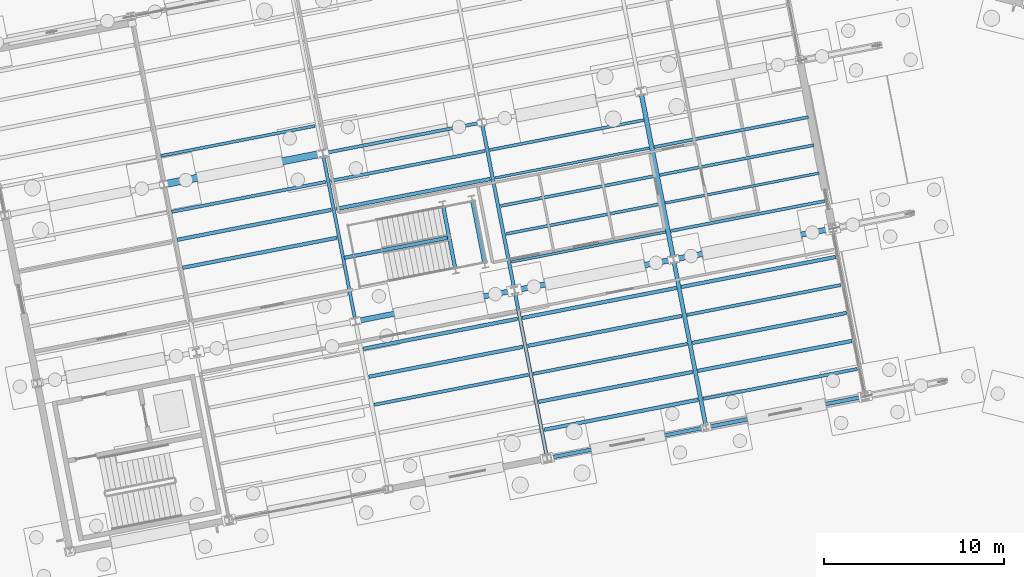
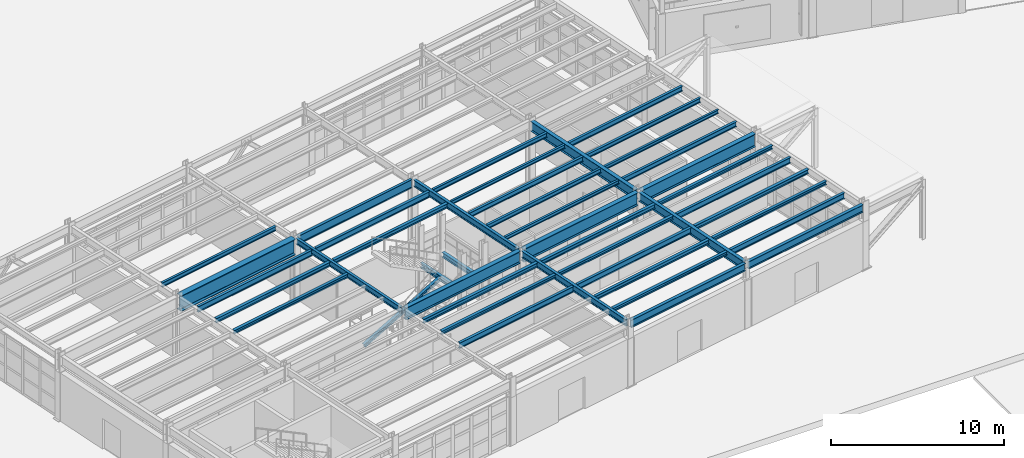
# One storey, part 34 of 108: 42 beams, 1 member.
"""IFC4 building model written with IfcOpenShell, lengths in metres."""

import ifcopenshell
import ifcopenshell.guid

model = None  # the IFC model being written
_history = None  # IfcOwnerHistory: only IFC2X3 demands one
_inside = {}  # id of a spatial element -> (the spatial element, [elements in it])
_under = {}  # id of a project, library or spatial element -> (it, [spatial elements below it])
_declared = {}  # id of a project -> (the project, [libraries it declares])
_typed = {}  # id of a type object -> (the type object, [elements of that type])
_made_of = {}  # id of a material, layer set ... -> (it, [elements and type objects made of it])


def new_model(schema):
    """Start an empty IFC model of exactly this schema.

    Asked for "IFC4X3", IfcOpenShell would pick the latest addendum, in which some entities
    have other attributes; the version numbers below select the first issue.
    IFC2X3 requires an IfcOwnerHistory on every rooted entity: one is made here for all.
    """
    global model, _history
    if schema == "IFC4X3":
        model = ifcopenshell.file(schema_version=(4, 3, 0, 0))
    else:
        model = ifcopenshell.file(schema=schema)
    _inside.clear()
    _under.clear()
    _declared.clear()
    _typed.clear()
    _made_of.clear()
    _history = None
    if model.schema == "IFC2X3":
        org = make("IfcOrganization", Name="unknown")
        user = make(
            "IfcPersonAndOrganization",
            ThePerson=make("IfcPerson", FamilyName="unknown"),
            TheOrganization=org,
        )
        app = make(
            "IfcApplication",
            ApplicationDeveloper=org,
            Version="unknown",
            ApplicationFullName="unknown",
            ApplicationIdentifier="unknown",
        )
        _history = make(
            "IfcOwnerHistory",
            OwningUser=user,
            OwningApplication=app,
            ChangeAction="ADDED",
            CreationDate=0,
        )
    return model


def make(cls, **values):
    """One entity of the class cls with the attributes given. An attribute that is None is left unset."""
    return model.create_entity(
        cls, **{name: value for name, value in values.items() if value is not None}
    )


def rooted(cls, **values):
    """An entity with a GlobalId (a new one), such as an element, a storey or a relation."""
    return make(cls, GlobalId=ifcopenshell.guid.new(), OwnerHistory=_history, **values)


def si_unit(unit_type, name, prefix=None):
    """IfcSIUnit, for example si_unit("LENGTHUNIT", "METRE", prefix="MILLI")."""
    return make("IfcSIUnit", UnitType=unit_type, Prefix=prefix, Name=name)


def assignment(units):
    """IfcUnitAssignment: the units of a project."""
    return None if units is None else make("IfcUnitAssignment", Units=units)


def point(xyz):
    """IfcCartesianPoint."""
    return None if xyz is None else make("IfcCartesianPoint", Coordinates=xyz)


def direction(xyz):
    """IfcDirection."""
    return None if xyz is None else make("IfcDirection", DirectionRatios=xyz)


def frame(location, z_axis=None, x_axis=None):
    """IfcAxis2Placement3D, a coordinate frame: its origin and axes. An axis left out is left unset."""
    return make(
        "IfcAxis2Placement3D",
        Location=point(location),
        Axis=direction(z_axis),
        RefDirection=direction(x_axis),
    )


def frame_2d(location, x_axis=None):
    """IfcAxis2Placement2D, a coordinate frame in the plane: its origin and x axis."""
    return make(
        "IfcAxis2Placement2D", Location=point(location), RefDirection=direction(x_axis)
    )


def origin():
    """The frame at (0, 0, 0) with its axes left unset."""
    return frame((0.0, 0.0, 0.0))


def origin_2d():
    """The frame at (0, 0) in the plane with its x axis left unset."""
    return frame_2d((0.0, 0.0))


def place(relative_to, where):
    """IfcLocalPlacement: puts the frame where relative to a parent placement (None: the world)."""
    return make(
        "IfcLocalPlacement", PlacementRelTo=relative_to, RelativePlacement=where
    )


def context(
    kind, dimensions, precision=None, world=None, true_north=None, identifier=None
):
    """IfcGeometricRepresentationContext, for example the 3D "Model" context."""
    return make(
        "IfcGeometricRepresentationContext",
        ContextIdentifier=identifier,
        ContextType=kind,
        CoordinateSpaceDimension=dimensions,
        Precision=precision,
        WorldCoordinateSystem=world,
        TrueNorth=true_north,
    )


def subcontext(parent, identifier, kind, view, scale=None):
    """IfcGeometricRepresentationSubContext, for example "Body" below "Model"."""
    return make(
        "IfcGeometricRepresentationSubContext",
        ContextIdentifier=identifier,
        ContextType=kind,
        ParentContext=parent,
        TargetScale=scale,
        TargetView=view,
    )


def project(units=None, contexts=None):
    """IfcProject with its units and contexts."""
    return rooted(
        "IfcProject",
        Name="project",
        RepresentationContexts=contexts,
        UnitsInContext=assignment(units),
    )


def spatial(cls, under=None, at=None, **own):
    """A site, building, storey or space (cls), placed at a placement, below another one or the project."""
    s = rooted(cls, ObjectPlacement=at, **own)
    if under is not None:
        _under.setdefault(under.id(), (under, []))[1].append(s)
    return s


def profile(cls, at=None, kind="AREA", **sizes):
    """A parametric profile (cls). Its sizes go by their IFC names, for example OverallWidth=200.0."""
    return make(cls, ProfileType=kind, Position=at, **sizes)


def i_section(**sizes):
    """IfcIShapeProfileDef."""
    return profile("IfcIShapeProfileDef", **sizes)


def extrude(swept, where, along, depth):
    """IfcExtrudedAreaSolid: the profile swept, set in the frame where, extruded along a direction by depth."""
    return make(
        "IfcExtrudedAreaSolid",
        SweptArea=swept,
        Position=where,
        ExtrudedDirection=direction(along),
        Depth=depth,
    )


def shape(context_of_items, identifier, shape_type, items):
    """IfcShapeRepresentation: the items that make up one representation, for example the "Body"."""
    return make(
        "IfcShapeRepresentation",
        ContextOfItems=context_of_items,
        RepresentationIdentifier=identifier,
        RepresentationType=shape_type,
        Items=items,
    )


def material(Name=None, Category=None):
    """IfcMaterial."""
    return make("IfcMaterial", Name=Name, Category=Category)


def material_profile(
    of_material, cross_section, Name=None, Category=None, Priority=None
):
    """IfcMaterialProfile: a cross section and its material."""
    return make(
        "IfcMaterialProfile",
        Name=Name,
        Material=of_material,
        Profile=cross_section,
        Priority=Priority,
        Category=Category,
    )


def profile_set(profiles, Name=None, composite=None):
    """IfcMaterialProfileSet."""
    return make(
        "IfcMaterialProfileSet",
        Name=Name,
        MaterialProfiles=profiles,
        CompositeProfile=composite,
    )


def made_of(thing, what):
    """Note that an element or type object is made of a material, layer set ...; save() writes the relation."""
    if what is not None:
        _made_of.setdefault(what.id(), (what, []))[1].append(thing)
    return thing


def type_object(cls, material=None, **own):
    """A type object (cls), such as IfcWallType, which elements share."""
    return made_of(rooted(cls, **own), material)


def element(
    cls,
    number,
    at=None,
    inside=None,
    cuts=None,
    type_object=None,
    material=None,
    context=None,
    identifier="Body",
    shape_type=None,
    held_by="IfcProductDefinitionShape",
    body=None,
    shapes=None,
    **own,
):
    """One element of the class cls, such as IfcWall. Its Tag is "e" and its number.

    at: its placement. inside: the storey or other place that contains it. cuts: it is an
    opening in that element (IfcRelVoidsElement). A single representation is given by context,
    identifier, shape_type and body (its items); several are given by shapes. held_by: the class
    of the entity that holds the representations. save() writes the other relations.
    """
    e = rooted(cls, Tag="e%d" % number, ObjectPlacement=at, **own)
    if body is not None:
        shapes = [shape(context, identifier, shape_type, body)]
    if shapes is not None:
        e.Representation = make(held_by, Representations=shapes)
    if inside is not None:
        _inside.setdefault(inside.id(), (inside, []))[1].append(e)
    if cuts is not None:
        rooted(
            "IfcRelVoidsElement", RelatingBuildingElement=cuts, RelatedOpeningElement=e
        )
    if type_object is not None:
        _typed.setdefault(type_object.id(), (type_object, []))[1].append(e)
    return made_of(e, material)


def aggregate(whole, parts):
    """IfcRelAggregates: a whole, such as a stair, and the parts it consists of."""
    return rooted("IfcRelAggregates", RelatingObject=whole, RelatedObjects=parts)


def save(model, path):
    """Write the relations noted so far, then the file.

    IfcRelAggregates (storeys below a building ...), IfcRelContainedInSpatialStructure (elements
    in a storey), IfcRelDefinesByType, IfcRelAssociatesMaterial and IfcRelDeclares: one each for
    every whole, place, type object, material and project.
    """
    for whole, parts in _under.values():
        aggregate(whole, parts)
    for where, things in _inside.values():
        rooted(
            "IfcRelContainedInSpatialStructure",
            RelatedElements=things,
            RelatingStructure=where,
        )
    for kind, things in _typed.values():
        rooted("IfcRelDefinesByType", RelatedObjects=things, RelatingType=kind)
    for what, things in _made_of.values():
        rooted("IfcRelAssociatesMaterial", RelatedObjects=things, RelatingMaterial=what)
    for by, libraries in _declared.values():
        rooted("IfcRelDeclares", RelatingContext=by, RelatedDefinitions=libraries)
    model.write(path)


model = new_model("IFC4")

# Units and contexts
model_context = context("Model", 3, precision=1e-05, world=origin(), true_north=direction((0.0, 1.0)))
body_context = subcontext(model_context, "Body", "Model", "MODEL_VIEW")
ifc_project = project(units=[si_unit("LENGTHUNIT", "METRE"), si_unit("AREAUNIT", "SQUARE_METRE"), si_unit("VOLUMEUNIT", "CUBIC_METRE"), si_unit("PLANEANGLEUNIT", "RADIAN"), si_unit("MASSUNIT", "GRAM", prefix="KILO")], contexts=[model_context])

# Site, building, storey
site_placement = place(None, origin())
site = spatial("IfcSite", under=ifc_project, at=site_placement, CompositionType="ELEMENT")
building_placement = place(site_placement, origin())
building = spatial("IfcBuilding", under=site, at=building_placement, Name="Vireo Bluff Cable Station", CompositionType="ELEMENT")
storey_placement = place(building_placement, origin())
storey = spatial("IfcBuildingStorey", under=building, at=storey_placement, Name="L00", CompositionType="ELEMENT", Elevation=0.0)

# Beams
ifc_material = material(Name="Steel ASTM A992 Gr. 50", Category="steel")
ifc_material_profile_1 = material_profile(ifc_material, i_section(OverallWidth=0.2041015625, OverallDepth=0.35009765625, WebThickness=0.008544921875, FlangeThickness=0.01513671875, FilletRadius=0.010009765625, at=origin_2d()), Name="W14X48")
ifc_profile_set_1 = profile_set([ifc_material_profile_1], Name="Steel ASTM A992 Gr. 50")
beam_type_1 = type_object("IfcBeamType", Name="BM-W14X48", PredefinedType="BEAM", material=ifc_profile_set_1)
for number, where, z_axis, x_axis, name in (
    (1, (30.891357421875, 21.230712890625, 2.02490234375), (-0.190776574878, 0.981633484799, 0.0), (-0.981633484799, -0.190776574878, 0.0), "ST-07 L00 landing header beam N"),
    (2, (32.51123046875, 21.545654296875, 2.02490234375), (-0.190844963789, 0.981620191213, 0.0), (-0.981620191213, -0.190844963789, 0.0), "ST-07 L00 landing header beam F"),
):
    element("IfcBeam", number, at=place(storey_placement, frame(where, z_axis=z_axis, x_axis=x_axis)), inside=storey, type_object=beam_type_1, Name=name, PredefinedType="BEAM", context=body_context, shape_type="SweptSolid", body=[
        extrude(i_section(OverallWidth=0.2041015625, OverallDepth=0.35009765625, WebThickness=0.008544921875, FlangeThickness=0.01513671875, FilletRadius=0.010009765625, at=origin_2d()), origin(), (0.0, 0.0, 1.0), 3.43994140625),
    ])
ifc_material_profile_2 = material_profile(ifc_material, i_section(OverallWidth=0.178955078125, OverallDepth=0.408935546875, WebThickness=0.0087890625, FlangeThickness=0.014404296875, FilletRadius=0.010009765625, at=origin_2d()), Name="W16X45")
ifc_profile_set_2 = profile_set([ifc_material_profile_2], Name="Steel ASTM A992 Gr. 50")
beam_type_2 = type_object("IfcBeamType", Name="BM-W16X45", PredefinedType="BEAM", material=ifc_profile_set_2)
beam_1_placement = place(storey_placement, frame((25.333740234375, 18.3779296875, 4.33544921875), z_axis=(-0.190804735679, 0.981628011439, 0.0), x_axis=(-0.981628011439, -0.190804735679, 0.0)))
element("IfcBeam", 3, at=beam_1_placement, inside=storey, type_object=beam_type_2, Name="V5 L00 beam 1113", PredefinedType="BEAM", context=body_context, shape_type="SweptSolid", body=[
    extrude(i_section(OverallWidth=0.178955078125, OverallDepth=0.408935546875, WebThickness=0.0087890625, FlangeThickness=0.014404296875, FilletRadius=0.010009765625, at=origin_2d()), origin(), (0.0, 0.0, 1.0), 9.260009765625),
])
ifc_material_profile_3 = material_profile(ifc_material, i_section(OverallWidth=0.19091796875, OverallDepth=0.45703125, WebThickness=0.009033203125, FlangeThickness=0.014404296875, FilletRadius=0.011962890625, at=origin_2d()), Name="W18X50")
ifc_profile_set_3 = profile_set([ifc_material_profile_3], Name="Steel ASTM A992 Gr. 50")
beam_type_3 = type_object("IfcBeamType", Name="BM-W18X50", PredefinedType="BEAM", material=ifc_profile_set_3)
beam_2_placement = place(storey_placement, frame((35.98095703125, 10.76953125, 4.3115234375), z_axis=(-0.190799797627, 0.981628971264, 0.0), x_axis=(-0.981628971264, -0.190799797627, 0.0)))
element("IfcBeam", 4, at=beam_2_placement, inside=storey, type_object=beam_type_3, Name="V5 L00 beam 1115", PredefinedType="BEAM", context=body_context, shape_type="SweptSolid", body=[
    extrude(i_section(OverallWidth=0.19091796875, OverallDepth=0.45703125, WebThickness=0.009033203125, FlangeThickness=0.014404296875, FilletRadius=0.011962890625, at=origin_2d()), origin(), (0.0, 0.0, 1.0), 9.26025390625),
])
ifc_material_profile_4 = material_profile(ifc_material, i_section(OverallWidth=0.193115234375, OverallDepth=0.467041015625, WebThickness=0.011474609375, FlangeThickness=0.01904296875, FilletRadius=0.011962890625, at=origin_2d()), Name="W18X65")
ifc_profile_set_4 = profile_set([ifc_material_profile_4], Name="Steel ASTM A992 Gr. 50")
beam_type_4 = type_object("IfcBeamType", Name="BM-W18X65", PredefinedType="BEAM", material=ifc_profile_set_4)
beam_3_placement = place(storey_placement, frame((34.16845703125, 20.09521484375, 4.306396484375), z_axis=(-0.190830140795, 0.981623072958, 0.0), x_axis=(-0.981623072958, -0.190830140795, 0.0)))
element("IfcBeam", 5, at=beam_3_placement, inside=storey, type_object=beam_type_4, Name="V5 L00 beam 1116", PredefinedType="BEAM", context=body_context, shape_type="SweptSolid", body=[
    extrude(i_section(OverallWidth=0.193115234375, OverallDepth=0.467041015625, WebThickness=0.011474609375, FlangeThickness=0.01904296875, FilletRadius=0.011962890625, at=origin_2d()), origin(), (0.0, 0.0, 1.0), 9.260009765625),
])
ifc_material_profile_5 = material_profile(ifc_material, i_section(OverallWidth=0.178955078125, OverallDepth=0.60302734375, WebThickness=0.010986328125, FlangeThickness=0.014892578125, FilletRadius=0.012939453125, at=origin_2d()), Name="W24X62")
ifc_profile_set_5 = profile_set([ifc_material_profile_5], Name="Steel ASTM A992 Gr. 50")
beam_type_5 = type_object("IfcBeamType", Name="GIR-W24X62", PredefinedType="USERDEFINED", material=ifc_profile_set_5)
beam_4_placement = place(storey_placement, frame((23.66162109375, 27.6083984375, 4.238525390625), z_axis=(0.981629601573, 0.190796554777, 0.0), x_axis=(-0.190796554777, 0.981629601573, 0.0)))
element("IfcBeam", 6, at=beam_4_placement, inside=storey, type_object=beam_type_5, Name="V5 L00 girder 1100", ObjectType="GIRDER", PredefinedType="USERDEFINED", context=body_context, shape_type="SweptSolid", body=[
    extrude(i_section(OverallWidth=0.178955078125, OverallDepth=0.60302734375, WebThickness=0.010986328125, FlangeThickness=0.014892578125, FilletRadius=0.012939453125, at=origin_2d()), origin(), (0.0, 0.0, 1.0), 8.760009765625),
])
ifc_material_profile_6 = material_profile(ifc_material, i_section(OverallWidth=0.2919921875, OverallDepth=0.85888671875, WebThickness=0.01708984375, FlangeThickness=0.031005859375, FilletRadius=0.01806640625, at=origin_2d()), Name="W33X169")
ifc_profile_set_6 = profile_set([ifc_material_profile_6], Name="Steel ASTM A992 Gr. 50")
beam_type_6 = type_object("IfcBeamType", Name="GIR-W33X169", PredefinedType="USERDEFINED", material=ifc_profile_set_6)
beam_5_placement = place(storey_placement, frame((25.474365234375, 18.282958984375, 4.110595703125), z_axis=(0.981629601573, 0.190796554777, 0.0), x_axis=(-0.190796554777, 0.981629601573, 0.0)))
element("IfcBeam", 7, at=beam_5_placement, inside=storey, type_object=beam_type_6, Name="V5 L00 girder 1096", ObjectType="GIRDER", PredefinedType="USERDEFINED", context=body_context, shape_type="SweptSolid", body=[
    extrude(i_section(OverallWidth=0.2919921875, OverallDepth=0.85888671875, WebThickness=0.01708984375, FlangeThickness=0.031005859375, FilletRadius=0.01806640625, at=origin_2d()), origin(), (0.0, 0.0, 1.0), 8.760009765625),
])
ifc_material_profile_7 = material_profile(ifc_material, i_section(OverallWidth=0.303955078125, OverallDepth=0.912109375, WebThickness=0.015869140625, FlangeThickness=0.02392578125, FilletRadius=0.02001953125, at=origin_2d()), Name="W36X150")
ifc_profile_set_7 = profile_set([ifc_material_profile_7], Name="Steel ASTM A992 Gr. 50")
beam_type_7 = type_object("IfcBeamType", Name="GIR-W36X150", PredefinedType="USERDEFINED", material=ifc_profile_set_7)
beam_6_placement = place(storey_placement, frame((34.30908203125, 20.000244140625, 4.083984375), z_axis=(0.981629601573, 0.190796554777, 0.0), x_axis=(-0.190796554777, 0.981629601573, 0.0)))
element("IfcBeam", 8, at=beam_6_placement, inside=storey, type_object=beam_type_7, Name="V5 L00 girder 1097", ObjectType="GIRDER", PredefinedType="USERDEFINED", context=body_context, shape_type="SweptSolid", body=[
    extrude(i_section(OverallWidth=0.303955078125, OverallDepth=0.912109375, WebThickness=0.015869140625, FlangeThickness=0.02392578125, FilletRadius=0.02001953125, at=origin_2d()), origin(), (0.0, 0.0, 1.0), 8.760009765625),
])
beam_7_placement = place(storey_placement, frame((43.143798828125, 21.717529296875, 4.083984375), z_axis=(0.981628586979, 0.190801774693, 0.0), x_axis=(-0.190801774693, 0.981628586979, 0.0)))
element("IfcBeam", 9, at=beam_7_placement, inside=storey, type_object=beam_type_7, Name="V5 L00 girder 1174", ObjectType="GIRDER", PredefinedType="USERDEFINED", context=body_context, shape_type="SweptSolid", body=[
    extrude(i_section(OverallWidth=0.303955078125, OverallDepth=0.912109375, WebThickness=0.015869140625, FlangeThickness=0.02392578125, FilletRadius=0.02001953125, at=origin_2d()), origin(), (0.0, 0.0, 1.0), 8.759765625),
])
ifc_material_profile_8 = material_profile(ifc_material, i_section(OverallWidth=0.404052734375, OverallDepth=1.117919921875, WebThickness=0.026123046875, FlangeThickness=0.044921875, FilletRadius=0.02197265625, at=origin_2d()), Name="W44X335")
ifc_profile_set_8 = profile_set([ifc_material_profile_8], Name="Steel ASTM A992 Gr. 50")
beam_type_8 = type_object("IfcBeamType", Name="GIR-W44X335", PredefinedType="USERDEFINED", material=ifc_profile_set_8)
beam_8_placement = place(storey_placement, frame((14.8271484375, 25.89111328125, 3.98095703125), z_axis=(0.981628586979, 0.190801774693, 0.0), x_axis=(-0.190801774693, 0.981628586979, 0.0)))
element("IfcBeam", 10, at=beam_8_placement, inside=storey, type_object=beam_type_8, Name="V5 L00 girder 1099", ObjectType="GIRDER", PredefinedType="USERDEFINED", context=body_context, shape_type="SweptSolid", body=[
    extrude(i_section(OverallWidth=0.404052734375, OverallDepth=1.117919921875, WebThickness=0.026123046875, FlangeThickness=0.044921875, FilletRadius=0.02197265625, at=origin_2d()), origin(), (0.0, 0.0, 1.0), 8.759765625),
])
ifc_material_profile_9 = material_profile(ifc_material, i_section(OverallWidth=0.14599609375, OverallDepth=0.259033203125, WebThickness=0.006103515625, FlangeThickness=0.009033203125, FilletRadius=0.009033203125, at=origin_2d()), Name="W10X22")
ifc_profile_set_9 = profile_set([ifc_material_profile_9], Name="Steel ASTM A992 Gr. 50")
beam_type_9 = type_object("IfcBeamType", Name="JST-W10X22", PredefinedType="JOIST", material=ifc_profile_set_9)
for number, where, z_axis, x_axis, name in (
    (11, (34.026611328125, 21.558349609375, 4.410400390625), (0.981628064538, 0.190804462503, 0.0), (-0.190804462503, 0.981628064538, 0.0), "V5 L00 composite joist 1163"),
    (12, (33.1201171875, 26.220947265625, 4.410400390625), (0.981628064538, 0.190804462503, 0.0), (-0.190804462503, 0.981628064538, 0.0), "V5 L00 composite joist 1166"),
    (13, (42.55908203125, 24.829833984375, 4.410400390625), (0.981628064538, 0.190804462503, 0.0), (-0.190804462503, 0.981628064538, 0.0), "V5 L00 composite joist 1186"),
):
    element("IfcBeam", number, at=place(storey_placement, frame(where, z_axis=z_axis, x_axis=x_axis)), inside=storey, type_object=beam_type_9, Name=name, PredefinedType="JOIST", context=body_context, shape_type="SweptSolid", body=[
        extrude(i_section(OverallWidth=0.14599609375, OverallDepth=0.259033203125, WebThickness=0.006103515625, FlangeThickness=0.009033203125, FilletRadius=0.009033203125, at=origin_2d()), origin(), (0.0, 0.0, 1.0), 8.719970703125),
    ])
ifc_material_profile_10 = material_profile(ifc_material, i_section(OverallWidth=0.201904296875, OverallDepth=0.2470703125, WebThickness=0.00732421875, FlangeThickness=0.010986328125, FilletRadius=0.009033203125, at=origin_2d()), Name="W10X33")
ifc_profile_set_10 = profile_set([ifc_material_profile_10], Name="Steel ASTM A992 Gr. 50")
beam_type_10 = type_object("IfcBeamType", Name="JST-W10X33", PredefinedType="JOIST", material=ifc_profile_set_10)
for number, where, z_axis, x_axis, name in (
    (14, (15.7529296875, 21.232177734375, 4.41650390625), (0.981628064538, 0.190804462503, 0.0), (-0.190804462503, 0.981628064538, 0.0), "V5 L00 composite joist 1138"),
    (15, (26.09814453125, 15.17822265625, 4.41650390625), (0.981628064538, 0.190804462503, 0.0), (-0.190804462503, 0.981628064538, 0.0), "V5 L00 composite joist 1149"),
):
    element("IfcBeam", number, at=place(storey_placement, frame(where, z_axis=z_axis, x_axis=x_axis)), inside=storey, type_object=beam_type_10, Name=name, PredefinedType="JOIST", context=body_context, shape_type="SweptSolid", body=[
        extrude(i_section(OverallWidth=0.201904296875, OverallDepth=0.2470703125, WebThickness=0.00732421875, FlangeThickness=0.010986328125, FilletRadius=0.009033203125, at=origin_2d()), origin(), (0.0, 0.0, 1.0), 8.719970703125),
    ])
beam_9_placement = place(storey_placement, frame((35.83935546875, 12.23291015625, 4.41650390625), z_axis=(0.981627045201, 0.19080970659, 0.0), x_axis=(-0.19080970659, 0.981627045201, 0.0)))
element("IfcBeam", 16, at=beam_9_placement, inside=storey, type_object=beam_type_10, Name="V5 L00 composite joist 1158", PredefinedType="JOIST", context=body_context, shape_type="SweptSolid", body=[
    extrude(i_section(OverallWidth=0.201904296875, OverallDepth=0.2470703125, WebThickness=0.00732421875, FlangeThickness=0.010986328125, FilletRadius=0.009033203125, at=origin_2d()), origin(), (0.0, 0.0, 1.0), 8.7197265625),
])
for number, where, z_axis, x_axis, name in (
    (17, (34.932861328125, 16.8955078125, 4.41650390625), (0.981628064538, 0.190804462503, 0.0), (-0.190804462503, 0.981628064538, 0.0), "V5 L00 composite joist 1161"),
    (18, (44.371826171875, 15.50439453125, 4.41650390625), (0.981628064538, 0.190804462503, 0.0), (-0.190804462503, 0.981628064538, 0.0), "V5 L00 composite joist 1181"),
    (19, (43.46533203125, 20.1669921875, 4.41650390625), (0.981628064538, 0.190804462503, 0.0), (-0.190804462503, 0.981628064538, 0.0), "V5 L00 composite joist 1184"),
):
    element("IfcBeam", number, at=place(storey_placement, frame(where, z_axis=z_axis, x_axis=x_axis)), inside=storey, type_object=beam_type_10, Name=name, PredefinedType="JOIST", context=body_context, shape_type="SweptSolid", body=[
        extrude(i_section(OverallWidth=0.201904296875, OverallDepth=0.2470703125, WebThickness=0.00732421875, FlangeThickness=0.010986328125, FilletRadius=0.009033203125, at=origin_2d()), origin(), (0.0, 0.0, 1.0), 8.719970703125),
    ])
ifc_material_profile_11 = material_profile(ifc_material, i_section(OverallWidth=0.1650390625, OverallDepth=0.31005859375, WebThickness=0.005859375, FlangeThickness=0.009765625, FilletRadius=0.010009765625, at=origin_2d()), Name="W12X26")
ifc_profile_set_11 = profile_set([ifc_material_profile_11], Name="Steel ASTM A992 Gr. 50")
beam_type_11 = type_object("IfcBeamType", Name="JST-W12X26", PredefinedType="JOIST", material=ifc_profile_set_11)
for number, where, z_axis, x_axis, name in (
    (20, (14.544677734375, 27.44921875, 4.385009765625), (0.981628064538, 0.190804462503, 0.0), (-0.190804462503, 0.981628064538, 0.0), "V5 L00 composite joist 1141"),
    (21, (33.724365234375, 23.112548828125, 4.385009765625), (0.981628064538, 0.190804462503, 0.0), (-0.190804462503, 0.981628064538, 0.0), "V5 L00 composite joist 1164"),
    (22, (32.818115234375, 27.775146484375, 4.385009765625), (0.981628064538, 0.190804462503, 0.0), (-0.190804462503, 0.981628064538, 0.0), "V5 L00 composite joist 1167"),
):
    element("IfcBeam", number, at=place(storey_placement, frame(where, z_axis=z_axis, x_axis=x_axis)), inside=storey, type_object=beam_type_11, Name=name, PredefinedType="JOIST", context=body_context, shape_type="SweptSolid", body=[
        extrude(i_section(OverallWidth=0.1650390625, OverallDepth=0.31005859375, WebThickness=0.005859375, FlangeThickness=0.009765625, FilletRadius=0.010009765625, at=origin_2d()), origin(), (0.0, 0.0, 1.0), 8.719970703125),
    ])
beam_10_placement = place(storey_placement, frame((42.257080078125, 26.384033203125, 4.385009765625), z_axis=(0.981627045201, 0.19080970659, 0.0), x_axis=(-0.19080970659, 0.981627045201, 0.0)))
element("IfcBeam", 23, at=beam_10_placement, inside=storey, type_object=beam_type_11, Name="V5 L00 composite joist 1187", PredefinedType="JOIST", context=body_context, shape_type="SweptSolid", body=[
    extrude(i_section(OverallWidth=0.1650390625, OverallDepth=0.31005859375, WebThickness=0.005859375, FlangeThickness=0.009765625, FilletRadius=0.010009765625, at=origin_2d()), origin(), (0.0, 0.0, 1.0), 8.7197265625),
])
ifc_material_profile_12 = material_profile(ifc_material, i_section(OverallWidth=0.202880859375, OverallDepth=0.302978515625, WebThickness=0.007568359375, FlangeThickness=0.01318359375, FilletRadius=0.010009765625, at=origin_2d()), Name="W12X40")
ifc_profile_set_12 = profile_set([ifc_material_profile_12], Name="Steel ASTM A992 Gr. 50")
beam_type_12 = type_object("IfcBeamType", Name="JST-W12X40", PredefinedType="JOIST", material=ifc_profile_set_12)
for number, where, z_axis, x_axis, name in (
    (24, (15.450927734375, 22.786376953125, 4.388427734375), (0.981628064538, 0.190804462503, 0.0), (-0.190804462503, 0.981628064538, 0.0), "V5 L00 composite joist 1139"),
    (25, (25.796142578125, 16.732421875, 4.388427734375), (0.981628064538, 0.190804462503, 0.0), (-0.190804462503, 0.981628064538, 0.0), "V5 L00 composite joist 1150"),
    (26, (24.28564453125, 24.503662109375, 4.388427734375), (0.981628064538, 0.190804462503, 0.0), (-0.190804462503, 0.981628064538, 0.0), "V5 L00 composite joist 1151"),
    (27, (35.537109375, 13.787109375, 4.388427734375), (0.981628064538, 0.190804462503, 0.0), (-0.190804462503, 0.981628064538, 0.0), "V5 L00 composite joist 1159"),
    (28, (34.630859375, 18.44970703125, 4.388427734375), (0.981628064538, 0.190804462503, 0.0), (-0.190804462503, 0.981628064538, 0.0), "V5 L00 composite joist 1162"),
    (29, (44.069580078125, 17.05859375, 4.388427734375), (0.981628064538, 0.190804462503, 0.0), (-0.190804462503, 0.981628064538, 0.0), "V5 L00 composite joist 1182"),
):
    element("IfcBeam", number, at=place(storey_placement, frame(where, z_axis=z_axis, x_axis=x_axis)), inside=storey, type_object=beam_type_12, Name=name, PredefinedType="JOIST", context=body_context, shape_type="SweptSolid", body=[
        extrude(i_section(OverallWidth=0.202880859375, OverallDepth=0.302978515625, WebThickness=0.007568359375, FlangeThickness=0.01318359375, FilletRadius=0.010009765625, at=origin_2d()), origin(), (0.0, 0.0, 1.0), 8.719970703125),
    ])
ifc_material_profile_13 = material_profile(ifc_material, i_section(OverallWidth=0.1708984375, OverallDepth=0.35107421875, WebThickness=0.0068359375, FlangeThickness=0.009765625, FilletRadius=0.010009765625, at=origin_2d()), Name="W14X30")
ifc_profile_set_13 = profile_set([ifc_material_profile_13], Name="Steel ASTM A992 Gr. 50")
beam_type_13 = type_object("IfcBeamType", Name="JST-W14X30", PredefinedType="JOIST", material=ifc_profile_set_13)
beam_11_placement = place(storey_placement, frame((33.42236328125, 24.666748046875, 4.364501953125), z_axis=(0.981628064538, 0.190804462503, 0.0), x_axis=(-0.190804462503, 0.981628064538, 0.0)))
element("IfcBeam", 30, at=beam_11_placement, inside=storey, type_object=beam_type_13, Name="V5 L00 composite joist 1165", PredefinedType="JOIST", context=body_context, shape_type="SweptSolid", body=[
    extrude(i_section(OverallWidth=0.1708984375, OverallDepth=0.35107421875, WebThickness=0.0068359375, FlangeThickness=0.009765625, FilletRadius=0.010009765625, at=origin_2d()), origin(), (0.0, 0.0, 1.0), 8.719970703125),
])
beam_12_placement = place(storey_placement, frame((42.861328125, 23.275634765625, 4.364501953125), z_axis=(0.981627045201, 0.19080970659, 0.0), x_axis=(-0.19080970659, 0.981627045201, 0.0)))
element("IfcBeam", 31, at=beam_12_placement, inside=storey, type_object=beam_type_13, Name="V5 L00 composite joist 1185", PredefinedType="JOIST", context=body_context, shape_type="SweptSolid", body=[
    extrude(i_section(OverallWidth=0.1708984375, OverallDepth=0.35107421875, WebThickness=0.0068359375, FlangeThickness=0.009765625, FilletRadius=0.010009765625, at=origin_2d()), origin(), (0.0, 0.0, 1.0), 8.7197265625),
])
beam_13_placement = place(storey_placement, frame((41.954833984375, 27.938232421875, 4.364501953125), z_axis=(0.981628064538, 0.190804462503, 0.0), x_axis=(-0.190804462503, 0.981628064538, 0.0)))
element("IfcBeam", 32, at=beam_13_placement, inside=storey, type_object=beam_type_13, Name="V5 L00 composite joist 1188", PredefinedType="JOIST", context=body_context, shape_type="SweptSolid", body=[
    extrude(i_section(OverallWidth=0.1708984375, OverallDepth=0.35107421875, WebThickness=0.0068359375, FlangeThickness=0.009765625, FilletRadius=0.010009765625, at=origin_2d()), origin(), (0.0, 0.0, 1.0), 8.719970703125),
])
ifc_material_profile_14 = material_profile(ifc_material, i_section(OverallWidth=0.177978515625, OverallDepth=0.404052734375, WebThickness=0.007568359375, FlangeThickness=0.010986328125, FilletRadius=0.010009765625, at=origin_2d()), Name="W16X36")
ifc_profile_set_14 = profile_set([ifc_material_profile_14], Name="Steel ASTM A992 Gr. 50")
beam_type_14 = type_object("IfcBeamType", Name="JST-W16X36", PredefinedType="JOIST", material=ifc_profile_set_14)
beam_14_placement = place(storey_placement, frame((15.14892578125, 24.340576171875, 4.337890625), z_axis=(0.981621800631, 0.190836685485, 0.0), x_axis=(-0.190836685485, 0.981621800631, 0.0)))
element("IfcBeam", 33, at=beam_14_placement, inside=storey, type_object=beam_type_14, Name="V5 L00 composite joist 1140", PredefinedType="JOIST", context=body_context, shape_type="SweptSolid", body=[
    extrude(i_section(OverallWidth=0.177978515625, OverallDepth=0.404052734375, WebThickness=0.007568359375, FlangeThickness=0.010986328125, FilletRadius=0.010009765625, at=origin_2d()), origin(), (0.0, 0.0, 1.0), 8.7197265625),
])
for number, where, z_axis, x_axis, name in (
    (34, (26.400390625, 13.6240234375, 4.337890625), (0.981628064538, 0.190804462503, 0.0), (-0.190804462503, 0.981628064538, 0.0), "V5 L00 composite joist 1148"),
    (35, (23.9833984375, 26.057861328125, 4.337890625), (0.98162282025, 0.190831440713, 0.0), (-0.190831440713, 0.98162282025, 0.0), "V5 L00 composite joist 1152"),
    (36, (35.235107421875, 15.34130859375, 4.337890625), (0.981628064538, 0.190804462503, 0.0), (-0.190804462503, 0.981628064538, 0.0), "V5 L00 composite joist 1160"),
    (37, (44.673828125, 13.9501953125, 4.337890625), (0.981628064538, 0.190804462503, 0.0), (-0.190804462503, 0.981628064538, 0.0), "V5 L00 composite joist 1180"),
    (38, (43.767578125, 18.61279296875, 4.337890625), (0.981628064538, 0.190804462503, 0.0), (-0.190804462503, 0.981628064538, 0.0), "V5 L00 composite joist 1183"),
):
    element("IfcBeam", number, at=place(storey_placement, frame(where, z_axis=z_axis, x_axis=x_axis)), inside=storey, type_object=beam_type_14, Name=name, PredefinedType="JOIST", context=body_context, shape_type="SweptSolid", body=[
        extrude(i_section(OverallWidth=0.177978515625, OverallDepth=0.404052734375, WebThickness=0.007568359375, FlangeThickness=0.010986328125, FilletRadius=0.010009765625, at=origin_2d()), origin(), (0.0, 0.0, 1.0), 8.719970703125),
    ])
ifc_material_profile_15 = material_profile(ifc_material, i_section(OverallWidth=0.2099609375, OverallDepth=0.535888671875, WebThickness=0.010986328125, FlangeThickness=0.017333984375, FilletRadius=0.012939453125, at=origin_2d()), Name="W21X68")
ifc_profile_set_15 = profile_set([ifc_material_profile_15], Name="Steel ASTM A992 Gr. 50")
beam_type_15 = type_object("IfcBeamType", Name="SPN-W21X68", PredefinedType="SPANDREL", material=ifc_profile_set_15)
beam_15_placement = place(storey_placement, frame((36.121826171875, 10.6748046875, 4.27197265625), z_axis=(0.981628586979, 0.190801774693, 0.0), x_axis=(-0.190801774693, 0.981628586979, 0.0)))
element("IfcBeam", 39, at=beam_15_placement, inside=storey, type_object=beam_type_15, Name="V5 L00 spandrel 1093", PredefinedType="SPANDREL", context=body_context, shape_type="SweptSolid", body=[
    extrude(i_section(OverallWidth=0.2099609375, OverallDepth=0.535888671875, WebThickness=0.010986328125, FlangeThickness=0.017333984375, FilletRadius=0.012939453125, at=origin_2d()), origin(), (0.0, 0.0, 1.0), 8.759765625),
])
beam_16_placement = place(storey_placement, frame((44.956298828125, 12.39208984375, 4.27197265625), z_axis=(0.981629601573, 0.190796554777, 0.0), x_axis=(-0.190796554777, 0.981629601573, 0.0)))
element("IfcBeam", 40, at=beam_16_placement, inside=storey, type_object=beam_type_15, Name="V5 L00 spandrel 1173", PredefinedType="SPANDREL", context=body_context, shape_type="SweptSolid", body=[
    extrude(i_section(OverallWidth=0.2099609375, OverallDepth=0.535888671875, WebThickness=0.010986328125, FlangeThickness=0.017333984375, FilletRadius=0.012939453125, at=origin_2d()), origin(), (0.0, 0.0, 1.0), 8.760009765625),
])
ifc_material_profile_16 = material_profile(ifc_material, i_section(OverallWidth=0.22802734375, OverallDepth=0.60693359375, WebThickness=0.01123046875, FlangeThickness=0.017333984375, FilletRadius=0.012939453125, at=origin_2d()), Name="W24X76")
ifc_profile_set_16 = profile_set([ifc_material_profile_16], Name="Steel ASTM A992 Gr. 50")
beam_type_16 = type_object("IfcBeamType", Name="SPN-W24X76", PredefinedType="SPANDREL", material=ifc_profile_set_16)
beam_17_placement = place(storey_placement, frame((44.815673828125, 12.48681640625, 4.236572265625), z_axis=(-0.190799797627, 0.981628971264, 0.0), x_axis=(-0.981628971264, -0.190799797627, 0.0)))
element("IfcBeam", 41, at=beam_17_placement, inside=storey, type_object=beam_type_16, Name="V5 L00 spandrel 1118", PredefinedType="SPANDREL", context=body_context, shape_type="SweptSolid", body=[
    extrude(i_section(OverallWidth=0.22802734375, OverallDepth=0.60693359375, WebThickness=0.01123046875, FlangeThickness=0.017333984375, FilletRadius=0.012939453125, at=origin_2d()), origin(), (0.0, 0.0, 1.0), 9.26025390625),
])
ifc_material_profile_17 = material_profile(ifc_material, i_section(OverallWidth=0.257080078125, OverallDepth=0.693115234375, WebThickness=0.014404296875, FlangeThickness=0.023681640625, FilletRadius=0.014892578125, at=origin_2d()), Name="W27X114")
ifc_profile_set_17 = profile_set([ifc_material_profile_17], Name="Steel ASTM A992 Gr. 50")
beam_type_17 = type_object("IfcBeamType", Name="SPN-W27X114", PredefinedType="SPANDREL", material=ifc_profile_set_17)
beam_18_placement = place(storey_placement, frame((43.0029296875, 21.812255859375, 4.193603515625), z_axis=(-0.190799797627, 0.981628971264, 0.0), x_axis=(-0.981628971264, -0.190799797627, 0.0)))
element("IfcBeam", 42, at=beam_18_placement, inside=storey, type_object=beam_type_17, Name="V5 L00 spandrel 1119", PredefinedType="SPANDREL", context=body_context, shape_type="SweptSolid", body=[
    extrude(i_section(OverallWidth=0.257080078125, OverallDepth=0.693115234375, WebThickness=0.014404296875, FlangeThickness=0.023681640625, FilletRadius=0.014892578125, at=origin_2d()), origin(), (0.0, 0.0, 1.0), 9.26025390625),
])

# Member
ifc_material_profile_18 = material_profile(ifc_material, i_section(OverallWidth=0.201904296875, OverallDepth=0.2470703125, WebThickness=0.00732421875, FlangeThickness=0.010986328125, FilletRadius=0.009033203125, at=origin_2d()), Name="W10X33")
ifc_profile_set_18 = profile_set([ifc_material_profile_18], Name="Steel ASTM A992 Gr. 50")
member_type = type_object("IfcMemberType", Name="STRINGER-01", PredefinedType="STRINGER", material=ifc_profile_set_18)
member_placement = place(storey_placement, frame((24.771728515625, 21.793212890625, -0.050048828125), z_axis=(0.92514732174, 0.179868998015, 0.334289659771), x_axis=(-0.190848435352, 0.981619516271, 0.0)))
element("IfcMember", 43, at=member_placement, inside=storey, type_object=member_type, Name="ST-07 L00 steel stair stringer", PredefinedType="STRINGER", context=body_context, shape_type="SweptSolid", body=[
    extrude(i_section(OverallWidth=0.201904296875, OverallDepth=0.2470703125, WebThickness=0.00732421875, FlangeThickness=0.010986328125, FilletRadius=0.009033203125, at=origin_2d()), origin(), (0.0, 0.0, 1.0), 6.20703125),
])

save(model, "model.ifc")
